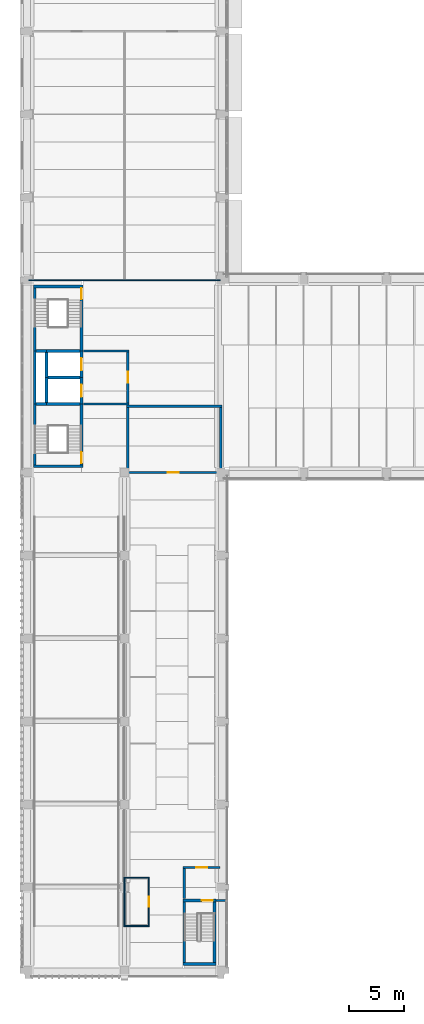
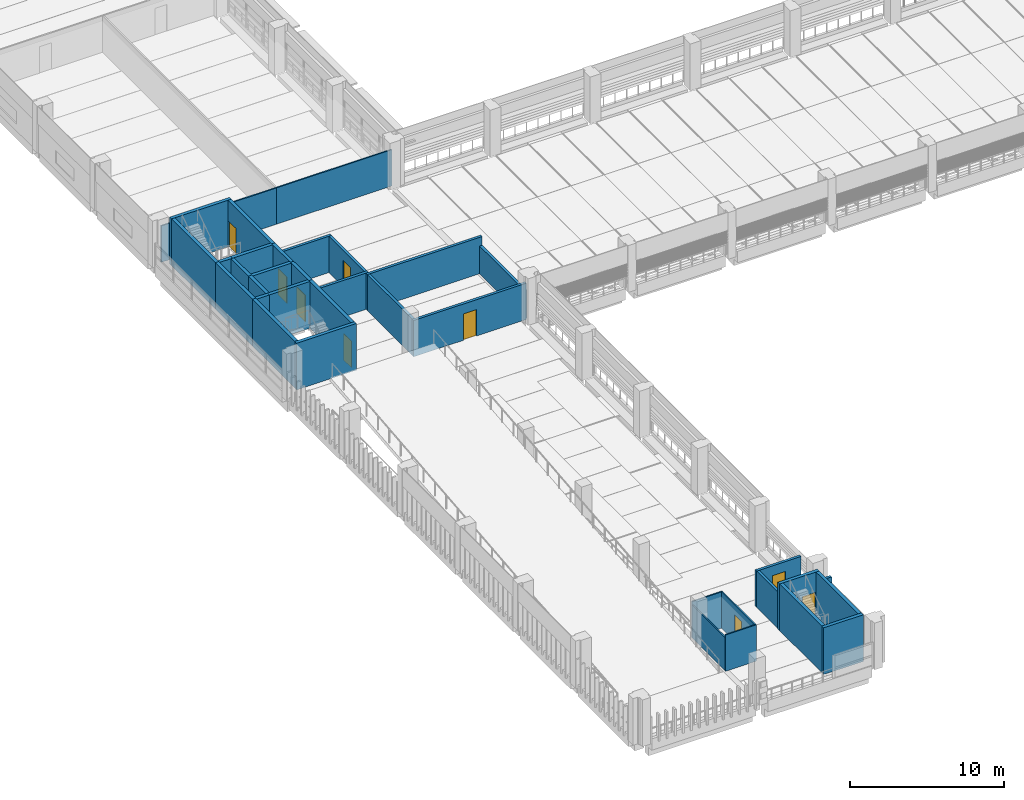
# One storey, part 33 of 61: 36 walls, 9 doors, 9 openings.
"""IFC4 building model written with IfcOpenShell, lengths in metres."""

import ifcopenshell
import ifcopenshell.guid

model = None  # the IFC model being written
_history = None  # IfcOwnerHistory: only IFC2X3 demands one
_inside = {}  # id of a spatial element -> (the spatial element, [elements in it])
_under = {}  # id of a project, library or spatial element -> (it, [spatial elements below it])
_declared = {}  # id of a project -> (the project, [libraries it declares])
_typed = {}  # id of a type object -> (the type object, [elements of that type])
_made_of = {}  # id of a material, layer set ... -> (it, [elements and type objects made of it])


def new_model(schema):
    """Start an empty IFC model of exactly this schema.

    Asked for "IFC4X3", IfcOpenShell would pick the latest addendum, in which some entities
    have other attributes; the version numbers below select the first issue.
    IFC2X3 requires an IfcOwnerHistory on every rooted entity: one is made here for all.
    """
    global model, _history
    if schema == "IFC4X3":
        model = ifcopenshell.file(schema_version=(4, 3, 0, 0))
    else:
        model = ifcopenshell.file(schema=schema)
    _inside.clear()
    _under.clear()
    _declared.clear()
    _typed.clear()
    _made_of.clear()
    _history = None
    if model.schema == "IFC2X3":
        org = make("IfcOrganization", Name="unknown")
        user = make(
            "IfcPersonAndOrganization",
            ThePerson=make("IfcPerson", FamilyName="unknown"),
            TheOrganization=org,
        )
        app = make(
            "IfcApplication",
            ApplicationDeveloper=org,
            Version="unknown",
            ApplicationFullName="unknown",
            ApplicationIdentifier="unknown",
        )
        _history = make(
            "IfcOwnerHistory",
            OwningUser=user,
            OwningApplication=app,
            ChangeAction="ADDED",
            CreationDate=0,
        )
    return model


def make(cls, **values):
    """One entity of the class cls with the attributes given. An attribute that is None is left unset."""
    return model.create_entity(
        cls, **{name: value for name, value in values.items() if value is not None}
    )


def rooted(cls, **values):
    """An entity with a GlobalId (a new one), such as an element, a storey or a relation."""
    return make(cls, GlobalId=ifcopenshell.guid.new(), OwnerHistory=_history, **values)


def si_unit(unit_type, name, prefix=None):
    """IfcSIUnit, for example si_unit("LENGTHUNIT", "METRE", prefix="MILLI")."""
    return make("IfcSIUnit", UnitType=unit_type, Prefix=prefix, Name=name)


def assignment(units):
    """IfcUnitAssignment: the units of a project."""
    return None if units is None else make("IfcUnitAssignment", Units=units)


def point(xyz):
    """IfcCartesianPoint."""
    return None if xyz is None else make("IfcCartesianPoint", Coordinates=xyz)


def direction(xyz):
    """IfcDirection."""
    return None if xyz is None else make("IfcDirection", DirectionRatios=xyz)


def frame(location, z_axis=None, x_axis=None):
    """IfcAxis2Placement3D, a coordinate frame: its origin and axes. An axis left out is left unset."""
    return make(
        "IfcAxis2Placement3D",
        Location=point(location),
        Axis=direction(z_axis),
        RefDirection=direction(x_axis),
    )


def frame_2d(location, x_axis=None):
    """IfcAxis2Placement2D, a coordinate frame in the plane: its origin and x axis."""
    return make(
        "IfcAxis2Placement2D", Location=point(location), RefDirection=direction(x_axis)
    )


def origin():
    """The frame at (0, 0, 0) with its axes left unset."""
    return frame((0.0, 0.0, 0.0))


def place(relative_to, where):
    """IfcLocalPlacement: puts the frame where relative to a parent placement (None: the world)."""
    return make(
        "IfcLocalPlacement", PlacementRelTo=relative_to, RelativePlacement=where
    )


def context(
    kind, dimensions, precision=None, world=None, true_north=None, identifier=None
):
    """IfcGeometricRepresentationContext, for example the 3D "Model" context."""
    return make(
        "IfcGeometricRepresentationContext",
        ContextIdentifier=identifier,
        ContextType=kind,
        CoordinateSpaceDimension=dimensions,
        Precision=precision,
        WorldCoordinateSystem=world,
        TrueNorth=true_north,
    )


def subcontext(parent, identifier, kind, view, scale=None):
    """IfcGeometricRepresentationSubContext, for example "Body" below "Model"."""
    return make(
        "IfcGeometricRepresentationSubContext",
        ContextIdentifier=identifier,
        ContextType=kind,
        ParentContext=parent,
        TargetScale=scale,
        TargetView=view,
    )


def project(units=None, contexts=None):
    """IfcProject with its units and contexts."""
    return rooted(
        "IfcProject",
        Name="project",
        RepresentationContexts=contexts,
        UnitsInContext=assignment(units),
    )


def spatial(cls, under=None, at=None, **own):
    """A site, building, storey or space (cls), placed at a placement, below another one or the project."""
    s = rooted(cls, ObjectPlacement=at, **own)
    if under is not None:
        _under.setdefault(under.id(), (under, []))[1].append(s)
    return s


def profile(cls, at=None, kind="AREA", **sizes):
    """A parametric profile (cls). Its sizes go by their IFC names, for example OverallWidth=200.0."""
    return make(cls, ProfileType=kind, Position=at, **sizes)


def rectangle(**sizes):
    """IfcRectangleProfileDef."""
    return profile("IfcRectangleProfileDef", **sizes)


def extrude(swept, where, along, depth):
    """IfcExtrudedAreaSolid: the profile swept, set in the frame where, extruded along a direction by depth."""
    return make(
        "IfcExtrudedAreaSolid",
        SweptArea=swept,
        Position=where,
        ExtrudedDirection=direction(along),
        Depth=depth,
    )


def shape(context_of_items, identifier, shape_type, items):
    """IfcShapeRepresentation: the items that make up one representation, for example the "Body"."""
    return make(
        "IfcShapeRepresentation",
        ContextOfItems=context_of_items,
        RepresentationIdentifier=identifier,
        RepresentationType=shape_type,
        Items=items,
    )


def material(Name=None, Category=None):
    """IfcMaterial."""
    return make("IfcMaterial", Name=Name, Category=Category)


def layer(
    of_material, thickness, ventilated=None, Name=None, Category=None, Priority=None
):
    """IfcMaterialLayer: one layer of a wall or slab, of a material (None: an air gap)."""
    return make(
        "IfcMaterialLayer",
        Material=of_material,
        LayerThickness=thickness,
        IsVentilated=ventilated,
        Name=Name,
        Category=Category,
        Priority=Priority,
    )


def layer_set(layers, Name=None):
    """IfcMaterialLayerSet."""
    return make("IfcMaterialLayerSet", MaterialLayers=layers, LayerSetName=Name)


def made_of(thing, what):
    """Note that an element or type object is made of a material, layer set ...; save() writes the relation."""
    if what is not None:
        _made_of.setdefault(what.id(), (what, []))[1].append(thing)
    return thing


def type_object(cls, material=None, **own):
    """A type object (cls), such as IfcWallType, which elements share."""
    return made_of(rooted(cls, **own), material)


def element(
    cls,
    number,
    at=None,
    inside=None,
    cuts=None,
    type_object=None,
    material=None,
    context=None,
    identifier="Body",
    shape_type=None,
    held_by="IfcProductDefinitionShape",
    body=None,
    shapes=None,
    **own,
):
    """One element of the class cls, such as IfcWall. Its Tag is "e" and its number.

    at: its placement. inside: the storey or other place that contains it. cuts: it is an
    opening in that element (IfcRelVoidsElement). A single representation is given by context,
    identifier, shape_type and body (its items); several are given by shapes. held_by: the class
    of the entity that holds the representations. save() writes the other relations.
    """
    e = rooted(cls, Tag="e%d" % number, ObjectPlacement=at, **own)
    if body is not None:
        shapes = [shape(context, identifier, shape_type, body)]
    if shapes is not None:
        e.Representation = make(held_by, Representations=shapes)
    if inside is not None:
        _inside.setdefault(inside.id(), (inside, []))[1].append(e)
    if cuts is not None:
        rooted(
            "IfcRelVoidsElement", RelatingBuildingElement=cuts, RelatedOpeningElement=e
        )
    if type_object is not None:
        _typed.setdefault(type_object.id(), (type_object, []))[1].append(e)
    return made_of(e, material)


def fill(opening, filler):
    """IfcRelFillsElement: the door or window that sits in an opening."""
    return rooted(
        "IfcRelFillsElement",
        RelatingOpeningElement=opening,
        RelatedBuildingElement=filler,
    )


def aggregate(whole, parts):
    """IfcRelAggregates: a whole, such as a stair, and the parts it consists of."""
    return rooted("IfcRelAggregates", RelatingObject=whole, RelatedObjects=parts)


def save(model, path):
    """Write the relations noted so far, then the file.

    IfcRelAggregates (storeys below a building ...), IfcRelContainedInSpatialStructure (elements
    in a storey), IfcRelDefinesByType, IfcRelAssociatesMaterial and IfcRelDeclares: one each for
    every whole, place, type object, material and project.
    """
    for whole, parts in _under.values():
        aggregate(whole, parts)
    for where, things in _inside.values():
        rooted(
            "IfcRelContainedInSpatialStructure",
            RelatedElements=things,
            RelatingStructure=where,
        )
    for kind, things in _typed.values():
        rooted("IfcRelDefinesByType", RelatedObjects=things, RelatingType=kind)
    for what, things in _made_of.values():
        rooted("IfcRelAssociatesMaterial", RelatedObjects=things, RelatingMaterial=what)
    for by, libraries in _declared.values():
        rooted("IfcRelDeclares", RelatingContext=by, RelatedDefinitions=libraries)
    model.write(path)


model = new_model("IFC4")

# Units and contexts
model_context = context("Model", 3, precision=1e-05, world=origin(), true_north=direction((0.0, 1.0)))
body_context = subcontext(model_context, "Body", "Model", "MODEL_VIEW")
ifc_project = project(units=[si_unit("LENGTHUNIT", "METRE"), si_unit("AREAUNIT", "SQUARE_METRE"), si_unit("VOLUMEUNIT", "CUBIC_METRE"), si_unit("PLANEANGLEUNIT", "RADIAN"), si_unit("MASSUNIT", "GRAM", prefix="KILO")], contexts=[model_context])

# Site, building, storey
site_placement = place(None, origin())
site = spatial("IfcSite", under=ifc_project, at=site_placement, CompositionType="ELEMENT")
building_placement = place(site_placement, origin())
building = spatial("IfcBuilding", under=site, at=building_placement, Name="Cour d'Honneur Mobility Palace", CompositionType="ELEMENT")
storey_placement = place(building_placement, frame((0.0, 0.0, 11.89990234375)))
storey = spatial("IfcBuildingStorey", under=building, at=storey_placement, Name="L03", CompositionType="ELEMENT", Elevation=11.89990234375)

# Walls
ifc_material_1 = material(Name="Concrete C50", Category="concrete")
ifc_layer_1 = layer(ifc_material_1, 0.25)
ifc_layer_set_1 = layer_set([ifc_layer_1], Name="Concrete C50")
wall_type_1 = type_object("IfcWallType", Name="Lift shaft wall 250", PredefinedType="SHEAR", material=ifc_layer_set_1)
wall_1_placement = place(storey_placement, frame((1.77490234375, 53.60009765625, 0.0), z_axis=(0.0, 0.0, 1.0), x_axis=(1.0, 0.0, 0.0)))
element("IfcWall", 1, at=wall_1_placement, inside=storey, type_object=wall_type_1, Name="Lift shaft wall WL-CW4 L03", PredefinedType="SHEAR", context=body_context, shape_type="SweptSolid", body=[
    extrude(rectangle(XDim=2.900146484375, YDim=0.25, at=frame_2d((1.4501953125, 0.0))), origin(), (0.0, 0.0, 1.0), 3.7001953125),
])
wall_2_placement = place(storey_placement, frame((1.64990234375, 51.324951171875, 0.0), z_axis=(0.0, 0.0, 1.0), x_axis=(0.0, 1.0, 0.0)))
element("IfcWall", 2, at=wall_2_placement, inside=storey, type_object=wall_type_1, Name="Lift shaft wall WL-CW11 L03", PredefinedType="SHEAR", context=body_context, shape_type="SweptSolid", body=[
    extrude(rectangle(XDim=2.275146484375, YDim=0.25, at=frame_2d((1.1376953125, 0.0))), origin(), (0.0, 0.0, 1.0), 3.7001953125),
])
wall_3_placement = place(storey_placement, frame((1.64990234375, 53.60009765625, 0.0), z_axis=(0.0, 0.0, 1.0), x_axis=(0.0, 1.0, 0.0)))
element("IfcWall", 3, at=wall_3_placement, inside=storey, type_object=wall_type_1, Name="Lift shaft wall WL-CW12 L03", PredefinedType="SHEAR", context=body_context, shape_type="SweptSolid", body=[
    extrude(rectangle(XDim=2.27490234375, YDim=0.25, at=frame_2d((1.137451171875, 0.0))), origin(), (0.0, 0.0, 1.0), 3.7001953125),
])

# Wall, opening, door
wall_4_placement = place(storey_placement, frame((4.800048828125, 51.199951171875, 0.0), z_axis=(0.0, 0.0, 1.0), x_axis=(0.0, 1.0, 0.0)))
wall_4 = element("IfcWall", 4, at=wall_4_placement, inside=storey, type_object=wall_type_1, Name="Lift shaft wall WL-CW14 L03", PredefinedType="SHEAR", context=body_context, shape_type="SweptSolid", body=[
    extrude(rectangle(XDim=2.400146484375, YDim=0.25, at=frame_2d((1.2001953125, 0.0))), origin(), (0.0, 0.0, 1.0), 3.7001953125),
])
opening_1_placement = place(wall_4_placement, frame((0.64990234375, 0.0, 0.0)))
opening_1 = element("IfcOpeningElement", 5, at=opening_1_placement, cuts=wall_4, Name="Opening LD4", PredefinedType="OPENING", context=body_context, shape_type="SweptSolid", body=[
    extrude(rectangle(XDim=1.10009765625, YDim=2.10009765625, at=frame_2d((0.550048828125, 1.050048828125))), frame((0.0, 0.135009765625, 0.0), z_axis=(0.0, -1.0, 0.0), x_axis=(1.0, 0.0, 0.0)), (0.0, 0.0, 1.0), 0.27001953125),
])
ifc_material_2 = material(Name="Stainless steel", Category="steel")
door_type_1 = type_object("IfcDoorType", Name="Landing door 1100 x 2100", OperationType="SLIDING_TO_LEFT", PredefinedType="DOOR", material=ifc_material_2)
door_1_placement = place(opening_1_placement, origin())
door_1 = element("IfcDoor", 6, at=door_1_placement, inside=storey, type_object=door_type_1, Name="Landing door LF-CW1 L03", OperationType="SLIDING_TO_LEFT", OverallHeight=2.10009765625, OverallWidth=1.10009765625, PredefinedType="DOOR", context=body_context, shape_type="SweptSolid", body=[
    extrude(rectangle(XDim=1.10009765625, YDim=2.10009765625, at=frame_2d((0.550048828125, 1.050048828125))), frame((0.0, 0.02490234375, 0.0), z_axis=(0.0, -1.0, 0.0), x_axis=(1.0, 0.0, 0.0)), (0.0, 0.0, 1.0), 0.050048828125),
])
fill(opening_1, door_1)

wall_5_placement = place(storey_placement, frame((4.800048828125, 53.60009765625, 0.0), z_axis=(0.0, 0.0, 1.0), x_axis=(0.0, 1.0, 0.0)))
wall_5 = element("IfcWall", 7, at=wall_5_placement, inside=storey, type_object=wall_type_1, Name="Lift shaft wall WL-CW15 L03", PredefinedType="SHEAR", context=body_context, shape_type="SweptSolid", body=[
    extrude(rectangle(XDim=2.39990234375, YDim=0.25, at=frame_2d((1.199951171875, 0.0))), origin(), (0.0, 0.0, 1.0), 3.7001953125),
])
opening_2_placement = place(wall_5_placement, frame((0.64990234375, 0.0, 0.0)))
opening_2 = element("IfcOpeningElement", 8, at=opening_2_placement, cuts=wall_5, Name="Opening LD14", PredefinedType="OPENING", context=body_context, shape_type="SweptSolid", body=[
    extrude(rectangle(XDim=1.10009765625, YDim=2.10009765625, at=frame_2d((0.550048828125, 1.050048828125))), frame((0.0, 0.135009765625, 0.0), z_axis=(0.0, -1.0, 0.0), x_axis=(1.0, 0.0, 0.0)), (0.0, 0.0, 1.0), 0.27001953125),
])
door_2_placement = place(opening_2_placement, origin())
door_2 = element("IfcDoor", 9, at=door_2_placement, inside=storey, type_object=door_type_1, Name="Landing door LF-CW2 L03", OperationType="SLIDING_TO_LEFT", OverallHeight=2.10009765625, OverallWidth=1.10009765625, PredefinedType="DOOR", context=body_context, shape_type="SweptSolid", body=[
    extrude(rectangle(XDim=1.10009765625, YDim=2.10009765625, at=frame_2d((0.550048828125, 1.050048828125))), frame((0.0, 0.02490234375, 0.0), z_axis=(0.0, -1.0, 0.0), x_axis=(1.0, 0.0, 0.0)), (0.0, 0.0, 1.0), 0.050048828125),
])
fill(opening_2, door_2)

# Wall
ifc_material_3 = material(Name="Gypsum plasterboard")
ifc_layer_2 = layer(ifc_material_3, 0.10009765625)
ifc_layer_set_2 = layer_set([ifc_layer_2], Name="Gypsum plasterboard")
wall_type_2 = type_object("IfcWallType", Name="Partition 100", PredefinedType="PARTITIONING", material=ifc_layer_set_2)
wall_6_placement = place(storey_placement, frame((8.64990234375, 4.0, 0.0), z_axis=(0.0, 0.0, 1.0), x_axis=(1.0, 0.0, 0.0)))
element("IfcWall", 10, at=wall_6_placement, inside=storey, type_object=wall_type_2, Name="Partition 001", PredefinedType="PARTITIONING", context=body_context, shape_type="SweptSolid", body=[
    extrude(rectangle(XDim=2.300048828125, YDim=0.10009765625, at=frame_2d((1.14990234375, 0.0))), origin(), (0.0, 0.0, 1.0), 2.880126953125),
])

# Wall, opening, door
wall_7_placement = place(storey_placement, frame((10.89990234375, 4.050048828125, 0.0), z_axis=(0.0, 0.0, 1.0), x_axis=(0.0, 1.0, 0.0)))
wall_7 = element("IfcWall", 11, at=wall_7_placement, inside=storey, type_object=wall_type_2, Name="Partition 002", PredefinedType="PARTITIONING", context=body_context, shape_type="SweptSolid", body=[
    extrude(rectangle(XDim=4.25, YDim=0.10009765625, at=frame_2d((2.125, 0.0))), origin(), (0.0, 0.0, 1.0), 2.880126953125),
])
opening_3_placement = place(wall_7_placement, frame((1.675048828125, 0.0, 0.0)))
opening_3 = element("IfcOpeningElement", 12, at=opening_3_placement, cuts=wall_7, Name="Opening D0309", PredefinedType="OPENING", context=body_context, shape_type="SweptSolid", body=[
    extrude(rectangle(XDim=0.89990234375, YDim=2.10009765625, at=frame_2d((0.449951171875, 1.050048828125))), frame((0.0, 0.06005859375, 0.0), z_axis=(0.0, -1.0, 0.0), x_axis=(1.0, 0.0, 0.0)), (0.0, 0.0, 1.0), 0.1201171875),
])
ifc_material_4 = material(Name="Solid timber", Category="wood")
door_type_2 = type_object("IfcDoorType", Name="Single door 900 x 2100", OperationType="SINGLE_SWING_LEFT", PredefinedType="DOOR", material=ifc_material_4)
door_3_placement = place(opening_3_placement, origin())
door_3 = element("IfcDoor", 13, at=door_3_placement, inside=storey, type_object=door_type_2, Name="Door Attendant Room West", OperationType="SINGLE_SWING_LEFT", OverallHeight=2.10009765625, OverallWidth=0.89990234375, PredefinedType="DOOR", context=body_context, shape_type="SweptSolid", body=[
    extrude(rectangle(XDim=0.89990234375, YDim=2.10009765625, at=frame_2d((0.449951171875, 1.050048828125))), frame((0.0, 0.02490234375, 0.0), z_axis=(0.0, -1.0, 0.0), x_axis=(1.0, 0.0, 0.0)), (0.0, 0.0, 1.0), 0.050048828125),
])
fill(opening_3, door_3)

# Walls
wall_8_placement = place(storey_placement, frame((10.949951171875, 8.35009765625, 0.0), z_axis=(0.0, 0.0, 1.0), x_axis=(-1.0, 0.0, 0.0)))
element("IfcWall", 14, at=wall_8_placement, inside=storey, type_object=wall_type_2, Name="Partition 009", PredefinedType="PARTITIONING", context=body_context, shape_type="SweptSolid", body=[
    extrude(rectangle(XDim=2.300048828125, YDim=0.10009765625, at=frame_2d((1.14990234375, 0.0))), origin(), (0.0, 0.0, 1.0), 2.880126953125),
])
wall_9_placement = place(storey_placement, frame((0.06005859375, 62.39990234375, 0.0), z_axis=(0.0, 0.0, 1.0), x_axis=(1.0, 0.0, 0.0)))
element("IfcWall", 15, at=wall_9_placement, inside=storey, type_object=wall_type_2, Name="Partition 040", PredefinedType="PARTITIONING", context=body_context, shape_type="SweptSolid", body=[
    extrude(rectangle(XDim=8.639892578125, YDim=0.10009765625, at=frame_2d((4.31982421875, 0.0))), origin(), (0.0, 0.0, 1.0), 2.880126953125),
])
wall_10_placement = place(storey_placement, frame((8.699951171875, 62.39990234375, 0.0), z_axis=(0.0, 0.0, 1.0), x_axis=(1.0, 0.0, 0.0)))
element("IfcWall", 16, at=wall_10_placement, inside=storey, type_object=wall_type_2, Name="Partition 041", PredefinedType="PARTITIONING", context=body_context, shape_type="SweptSolid", body=[
    extrude(rectangle(XDim=8.64013671875, YDim=0.10009765625, at=frame_2d((4.320068359375, 0.0))), origin(), (0.0, 0.0, 1.0), 2.880126953125),
])
ifc_material_5 = material(Name="Gypsum plasterboard")
ifc_layer_3 = layer(ifc_material_5, 0.10009765625)
ifc_layer_set_3 = layer_set([ifc_layer_3], Name="Gypsum plasterboard")
wall_type_3 = type_object("IfcWallType", Name="Partition 100 under beam 1100", PredefinedType="PARTITIONING", material=ifc_layer_set_3)
wall_11_placement = place(storey_placement, frame((8.699951171875, 8.300048828125, 0.0), z_axis=(0.0, 0.0, 1.0), x_axis=(0.0, -1.0, 0.0)))
element("IfcWall", 17, at=wall_11_placement, inside=storey, type_object=wall_type_3, Name="Partition 008", PredefinedType="PARTITIONING", context=body_context, shape_type="SweptSolid", body=[
    extrude(rectangle(XDim=4.25, YDim=0.10009765625, at=frame_2d((2.125, 0.0))), origin(), (0.0, 0.0, 1.0), 2.60009765625),
])
ifc_material_6 = material(Name="Gypsum plasterboard")
ifc_layer_4 = layer(ifc_material_6, 0.199951171875)
ifc_layer_set_4 = layer_set([ifc_layer_4], Name="Gypsum plasterboard")
wall_type_4 = type_object("IfcWallType", Name="Partition 200 rated EI 120", PredefinedType="PARTITIONING", material=ifc_layer_set_4)
wall_12_placement = place(storey_placement, frame((16.949951171875, 6.300048828125, 0.0), z_axis=(0.0, 0.0, 1.0), x_axis=(1.0, 0.0, 0.0)))
element("IfcWall", 18, at=wall_12_placement, inside=storey, type_object=wall_type_4, Name="Partition 005", PredefinedType="PARTITIONING", context=body_context, shape_type="SweptSolid", body=[
    extrude(rectangle(XDim=0.949951171875, YDim=0.199951171875, at=frame_2d((0.47509765625, 0.0))), origin(), (0.0, 0.0, 1.0), 2.880126953125),
])
wall_13_placement = place(storey_placement, frame((14.10009765625, 9.199951171875, 0.0), z_axis=(0.0, 0.0, 1.0), x_axis=(0.0, -1.0, 0.0)))
element("IfcWall", 19, at=wall_13_placement, inside=storey, type_object=wall_type_4, Name="Partition 012", PredefinedType="PARTITIONING", context=body_context, shape_type="SweptSolid", body=[
    extrude(rectangle(XDim=2.724853515625, YDim=0.199951171875, at=frame_2d((1.3623046875, 0.0))), origin(), (0.0, 0.0, 1.0), 2.880126953125),
])

# Wall, opening, door
wall_14_placement = place(storey_placement, frame((17.340087890625, 9.300048828125, 0.0), z_axis=(0.0, 0.0, 1.0), x_axis=(-1.0, 0.0, 0.0)))
wall_14 = element("IfcWall", 20, at=wall_14_placement, inside=storey, type_object=wall_type_4, Name="Partition 013", PredefinedType="PARTITIONING", context=body_context, shape_type="SweptSolid", body=[
    extrude(rectangle(XDim=3.340087890625, YDim=0.199951171875, at=frame_2d((1.669921875, 0.0))), origin(), (0.0, 0.0, 1.0), 2.880126953125),
])
opening_4_placement = place(wall_14_placement, frame((1.169921875, 0.0, 0.0)))
opening_4 = element("IfcOpeningElement", 21, at=opening_4_placement, cuts=wall_14, Name="Opening D0307", PredefinedType="OPENING", context=body_context, shape_type="SweptSolid", body=[
    extrude(rectangle(XDim=1.0, YDim=2.10009765625, at=frame_2d((0.5, 1.050048828125))), frame((0.0, 0.10986328125, 0.0), z_axis=(0.0, -1.0, 0.0), x_axis=(1.0, 0.0, 0.0)), (0.0, 0.0, 1.0), 0.219970703125),
])
ifc_material_7 = material(Name="Galvanised steel", Category="steel")
door_type_3 = type_object("IfcDoorType", Name="Fire door FD120 1000 x 2100", OperationType="SINGLE_SWING_LEFT", PredefinedType="DOOR", material=ifc_material_7)
door_4_placement = place(opening_4_placement, origin())
door_4 = element("IfcDoor", 22, at=door_4_placement, inside=storey, type_object=door_type_3, Name="Door Stair Lobby RW", OperationType="SINGLE_SWING_LEFT", OverallHeight=2.10009765625, OverallWidth=1.0, PredefinedType="DOOR", context=body_context, shape_type="SweptSolid", body=[
    extrude(rectangle(XDim=1.0, YDim=2.10009765625, at=frame_2d((0.5, 1.050048828125))), frame((0.0, 0.02490234375, 0.0), z_axis=(0.0, -1.0, 0.0), x_axis=(1.0, 0.0, 0.0)), (0.0, 0.0, 1.0), 0.050048828125),
])
fill(opening_4, door_4)

wall_15_placement = place(storey_placement, frame((8.89990234375, 45.0, 0.0), z_axis=(0.0, 0.0, 1.0), x_axis=(1.0, 0.0, 0.0)))
wall_15 = element("IfcWall", 23, at=wall_15_placement, inside=storey, type_object=wall_type_4, Name="Partition 015", PredefinedType="PARTITIONING", context=body_context, shape_type="SweptSolid", body=[
    extrude(rectangle(XDim=8.440185546875, YDim=0.199951171875, at=frame_2d((4.22021484375, 0.0))), origin(), (0.0, 0.0, 1.0), 2.880126953125),
])
opening_5_placement = place(wall_15_placement, frame((3.719970703125, 0.0, 0.0)))
opening_5 = element("IfcOpeningElement", 24, at=opening_5_placement, cuts=wall_15, Name="Opening D0311", PredefinedType="OPENING", context=body_context, shape_type="SweptSolid", body=[
    extrude(rectangle(XDim=1.0, YDim=2.10009765625, at=frame_2d((0.5, 1.050048828125))), frame((0.0, 0.10986328125, 0.0), z_axis=(0.0, -1.0, 0.0), x_axis=(1.0, 0.0, 0.0)), (0.0, 0.0, 1.0), 0.219970703125),
])
door_5_placement = place(opening_5_placement, origin())
door_5 = element("IfcDoor", 25, at=door_5_placement, inside=storey, type_object=door_type_3, Name="Door EV Switch Room West", OperationType="SINGLE_SWING_RIGHT", OverallHeight=2.10009765625, OverallWidth=1.0, PredefinedType="DOOR", context=body_context, shape_type="SweptSolid", body=[
    extrude(rectangle(XDim=1.0, YDim=2.10009765625, at=frame_2d((0.5, 1.050048828125))), frame((0.0, 0.02490234375, 0.0), z_axis=(0.0, -1.0, 0.0), x_axis=(1.0, 0.0, 0.0)), (0.0, 0.0, 1.0), 0.050048828125),
])
fill(opening_5, door_5)

# Walls
wall_16_placement = place(storey_placement, frame((9.0, 50.89990234375, 0.0), z_axis=(0.0, 0.0, 1.0), x_axis=(0.0, -1.0, 0.0)))
element("IfcWall", 26, at=wall_16_placement, inside=storey, type_object=wall_type_4, Name="Partition 024", PredefinedType="PARTITIONING", context=body_context, shape_type="SweptSolid", body=[
    extrude(rectangle(XDim=5.7998046875, YDim=0.199951171875, at=frame_2d((2.89990234375, 0.0))), origin(), (0.0, 0.0, 1.0), 2.880126953125),
])
wall_17_placement = place(storey_placement, frame((17.5, 51.0, 0.0), z_axis=(0.0, 0.0, 1.0), x_axis=(-1.0, 0.0, 0.0)))
element("IfcWall", 27, at=wall_17_placement, inside=storey, type_object=wall_type_4, Name="Partition 025", PredefinedType="PARTITIONING", context=body_context, shape_type="SweptSolid", body=[
    extrude(rectangle(XDim=8.60009765625, YDim=0.199951171875, at=frame_2d((4.300048828125, 0.0))), origin(), (0.0, 0.0, 1.0), 2.880126953125),
])
wall_18_placement = place(storey_placement, frame((4.97509765625, 51.199951171875, 0.0), z_axis=(0.0, 0.0, 1.0), x_axis=(1.0, 0.0, 0.0)))
element("IfcWall", 28, at=wall_18_placement, inside=storey, type_object=wall_type_4, Name="Partition 028", PredefinedType="PARTITIONING", context=body_context, shape_type="SweptSolid", body=[
    extrude(rectangle(XDim=4.125, YDim=0.199951171875, at=frame_2d((2.0625, 0.0))), origin(), (0.0, 0.0, 1.0), 2.880126953125),
])

# Wall, opening, door
wall_19_placement = place(storey_placement, frame((9.0, 51.300048828125, 0.0), z_axis=(0.0, 0.0, 1.0), x_axis=(0.0, 1.0, 0.0)))
wall_19 = element("IfcWall", 29, at=wall_19_placement, inside=storey, type_object=wall_type_4, Name="Partition 029", PredefinedType="PARTITIONING", context=body_context, shape_type="SweptSolid", body=[
    extrude(rectangle(XDim=4.599853515625, YDim=0.199951171875, at=frame_2d((2.2998046875, 0.0))), origin(), (0.0, 0.0, 1.0), 2.880126953125),
])
opening_6_placement = place(wall_19_placement, frame((1.800048828125, 0.0, 0.0)))
opening_6 = element("IfcOpeningElement", 30, at=opening_6_placement, cuts=wall_19, Name="Opening D0301", PredefinedType="OPENING", context=body_context, shape_type="SweptSolid", body=[
    extrude(rectangle(XDim=1.0, YDim=2.10009765625, at=frame_2d((0.5, 1.050048828125))), frame((0.0, 0.10986328125, 0.0), z_axis=(0.0, -1.0, 0.0), x_axis=(1.0, 0.0, 0.0)), (0.0, 0.0, 1.0), 0.219970703125),
])
door_6_placement = place(opening_6_placement, origin())
door_6 = element("IfcDoor", 31, at=door_6_placement, inside=storey, type_object=door_type_3, Name="Door Firefighting Lobby CW", OperationType="SINGLE_SWING_RIGHT", OverallHeight=2.10009765625, OverallWidth=1.0, PredefinedType="DOOR", context=body_context, shape_type="SweptSolid", body=[
    extrude(rectangle(XDim=1.0, YDim=2.10009765625, at=frame_2d((0.5, 1.050048828125))), frame((0.0, 0.02490234375, 0.0), z_axis=(0.0, -1.0, 0.0), x_axis=(1.0, 0.0, 0.0)), (0.0, 0.0, 1.0), 0.050048828125),
])
fill(opening_6, door_6)

# Walls
wall_20_placement = place(storey_placement, frame((9.10009765625, 56.0, 0.0), z_axis=(0.0, 0.0, 1.0), x_axis=(-1.0, 0.0, 0.0)))
element("IfcWall", 32, at=wall_20_placement, inside=storey, type_object=wall_type_4, Name="Partition 037", PredefinedType="PARTITIONING", context=body_context, shape_type="SweptSolid", body=[
    extrude(rectangle(XDim=4.125, YDim=0.199951171875, at=frame_2d((2.0625, 0.0))), origin(), (0.0, 0.0, 1.0), 2.880126953125),
])
ifc_material_8 = material(Name="Gypsum plasterboard")
ifc_layer_5 = layer(ifc_material_8, 0.199951171875)
ifc_layer_set_5 = layer_set([ifc_layer_5], Name="Gypsum plasterboard")
wall_type_5 = type_object("IfcWallType", Name="Partition 200 rated EI 120 under beam 1500", PredefinedType="PARTITIONING", material=ifc_layer_set_5)
wall_21_placement = place(storey_placement, frame((17.39990234375, 45.06005859375, 0.0), z_axis=(0.0, 0.0, 1.0), x_axis=(0.0, 1.0, 0.0)))
element("IfcWall", 33, at=wall_21_placement, inside=storey, type_object=wall_type_5, Name="Partition 018", PredefinedType="PARTITIONING", context=body_context, shape_type="SweptSolid", body=[
    extrude(rectangle(XDim=5.83984375, YDim=0.199951171875, at=frame_2d((2.919921875, 0.0))), origin(), (0.0, 0.0, 1.0), 2.2001953125),
])
ifc_material_9 = material(Name="Concrete C50", Category="concrete")
ifc_layer_6 = layer(ifc_material_9, 0.25)
ifc_layer_set_6 = layer_set([ifc_layer_6], Name="Concrete C50")
wall_type_6 = type_object("IfcWallType", Name="Shaft wall 250", PredefinedType="SHEAR", material=ifc_layer_set_6)
wall_22_placement = place(storey_placement, frame((0.574951171875, 51.199951171875, 0.0), z_axis=(0.0, 0.0, 1.0), x_axis=(0.0, 1.0, 0.0)))
element("IfcWall", 34, at=wall_22_placement, inside=storey, type_object=wall_type_6, Name="Shaft wall WR-CW9 L03", PredefinedType="SHEAR", context=body_context, shape_type="SweptSolid", body=[
    extrude(rectangle(XDim=4.800048828125, YDim=0.25, at=frame_2d((2.39990234375, 0.0))), origin(), (0.0, 0.0, 1.0), 3.7001953125),
])
ifc_material_10 = material(Name="Concrete C50", Category="concrete")
ifc_layer_7 = layer(ifc_material_10, 0.25)
ifc_layer_set_7 = layer_set([ifc_layer_7], Name="Concrete C50")
wall_type_7 = type_object("IfcWallType", Name="Stair wall 250", PredefinedType="SHEAR", material=ifc_layer_set_7)
wall_23_placement = place(storey_placement, frame((0.449951171875, 45.574951171875, 0.0), z_axis=(0.0, 0.0, 1.0), x_axis=(1.0, 0.0, 0.0)))
element("IfcWall", 35, at=wall_23_placement, inside=storey, type_object=wall_type_7, Name="Stair wall WS-CW1 L03", PredefinedType="SHEAR", context=body_context, shape_type="SweptSolid", body=[
    extrude(rectangle(XDim=4.47509765625, YDim=0.25, at=frame_2d((2.237548828125, 0.0))), origin(), (0.0, 0.0, 1.0), 3.7001953125),
])
wall_24_placement = place(storey_placement, frame((0.699951171875, 51.199951171875, 0.0), z_axis=(0.0, 0.0, 1.0), x_axis=(1.0, 0.0, 0.0)))
element("IfcWall", 36, at=wall_24_placement, inside=storey, type_object=wall_type_7, Name="Stair wall WS-CW2 L03", PredefinedType="SHEAR", context=body_context, shape_type="SweptSolid", body=[
    extrude(rectangle(XDim=0.949951171875, YDim=0.25, at=frame_2d((0.47509765625, 0.0))), origin(), (0.0, 0.0, 1.0), 3.7001953125),
])
wall_25_placement = place(storey_placement, frame((1.64990234375, 51.199951171875, 0.0), z_axis=(0.0, 0.0, 1.0), x_axis=(1.0, 0.0, 0.0)))
element("IfcWall", 37, at=wall_25_placement, inside=storey, type_object=wall_type_7, Name="Stair wall WS-CW3 L03", PredefinedType="SHEAR", context=body_context, shape_type="SweptSolid", body=[
    extrude(rectangle(XDim=3.025146484375, YDim=0.25, at=frame_2d((1.5126953125, 0.0))), origin(), (0.0, 0.0, 1.0), 3.7001953125),
])
wall_26_placement = place(storey_placement, frame((0.699951171875, 56.0, 0.0), z_axis=(0.0, 0.0, 1.0), x_axis=(1.0, 0.0, 0.0)))
element("IfcWall", 38, at=wall_26_placement, inside=storey, type_object=wall_type_7, Name="Stair wall WS-CW5 L03", PredefinedType="SHEAR", context=body_context, shape_type="SweptSolid", body=[
    extrude(rectangle(XDim=0.949951171875, YDim=0.25, at=frame_2d((0.47509765625, 0.0))), origin(), (0.0, 0.0, 1.0), 3.7001953125),
])
wall_27_placement = place(storey_placement, frame((1.64990234375, 56.0, 0.0), z_axis=(0.0, 0.0, 1.0), x_axis=(1.0, 0.0, 0.0)))
element("IfcWall", 39, at=wall_27_placement, inside=storey, type_object=wall_type_7, Name="Stair wall WS-CW6 L03", PredefinedType="SHEAR", context=body_context, shape_type="SweptSolid", body=[
    extrude(rectangle(XDim=3.025146484375, YDim=0.25, at=frame_2d((1.5126953125, 0.0))), origin(), (0.0, 0.0, 1.0), 3.7001953125),
])
wall_28_placement = place(storey_placement, frame((0.449951171875, 61.824951171875, 0.0), z_axis=(0.0, 0.0, 1.0), x_axis=(1.0, 0.0, 0.0)))
element("IfcWall", 40, at=wall_28_placement, inside=storey, type_object=wall_type_7, Name="Stair wall WS-CW7 L03", PredefinedType="SHEAR", context=body_context, shape_type="SweptSolid", body=[
    extrude(rectangle(XDim=4.47509765625, YDim=0.25, at=frame_2d((2.237548828125, 0.0))), origin(), (0.0, 0.0, 1.0), 3.7001953125),
])
wall_29_placement = place(storey_placement, frame((0.574951171875, 45.699951171875, 0.0), z_axis=(0.0, 0.0, 1.0), x_axis=(0.0, 1.0, 0.0)))
element("IfcWall", 41, at=wall_29_placement, inside=storey, type_object=wall_type_7, Name="Stair wall WS-CW8 L03", PredefinedType="SHEAR", context=body_context, shape_type="SweptSolid", body=[
    extrude(rectangle(XDim=5.5, YDim=0.25, at=frame_2d((2.75, 0.0))), origin(), (0.0, 0.0, 1.0), 3.7001953125),
])
wall_30_placement = place(storey_placement, frame((0.574951171875, 56.0, 0.0), z_axis=(0.0, 0.0, 1.0), x_axis=(0.0, 1.0, 0.0)))
element("IfcWall", 42, at=wall_30_placement, inside=storey, type_object=wall_type_7, Name="Stair wall WS-CW10 L03", PredefinedType="SHEAR", context=body_context, shape_type="SweptSolid", body=[
    extrude(rectangle(XDim=5.699951171875, YDim=0.25, at=frame_2d((2.85009765625, 0.0))), origin(), (0.0, 0.0, 1.0), 3.7001953125),
])

# Wall, opening, door
wall_31_placement = place(storey_placement, frame((4.800048828125, 45.699951171875, 0.0), z_axis=(0.0, 0.0, 1.0), x_axis=(0.0, 1.0, 0.0)))
wall_31 = element("IfcWall", 43, at=wall_31_placement, inside=storey, type_object=wall_type_7, Name="Stair wall WS-CW13 L03", PredefinedType="SHEAR", context=body_context, shape_type="SweptSolid", body=[
    extrude(rectangle(XDim=5.5, YDim=0.25, at=frame_2d((2.75, 0.0))), origin(), (0.0, 0.0, 1.0), 3.7001953125),
])
opening_7_placement = place(wall_31_placement, frame((0.14990234375, 0.0, 0.0)))
opening_7 = element("IfcOpeningElement", 44, at=opening_7_placement, cuts=wall_31, Name="Opening S132", PredefinedType="OPENING", context=body_context, shape_type="SweptSolid", body=[
    extrude(rectangle(XDim=1.0, YDim=2.10009765625, at=frame_2d((0.5, 1.050048828125))), frame((0.0, 0.135009765625, 0.0), z_axis=(0.0, -1.0, 0.0), x_axis=(1.0, 0.0, 0.0)), (0.0, 0.0, 1.0), 0.27001953125),
])
ifc_material_11 = material(Name="Galvanised steel", Category="steel")
door_type_4 = type_object("IfcDoorType", Name="Fire door FD120 stair 1000 x 2100", OperationType="SINGLE_SWING_LEFT", PredefinedType="DOOR", material=ifc_material_11)
door_7_placement = place(opening_7_placement, origin())
door_7 = element("IfcDoor", 45, at=door_7_placement, inside=storey, type_object=door_type_4, Name="Stair door ST-CW1 L03", OperationType="SINGLE_SWING_RIGHT", OverallHeight=2.10009765625, OverallWidth=1.0, PredefinedType="DOOR", context=body_context, shape_type="SweptSolid", body=[
    extrude(rectangle(XDim=1.0, YDim=2.10009765625, at=frame_2d((0.5, 1.050048828125))), frame((0.0, 0.02490234375, 0.0), z_axis=(0.0, -1.0, 0.0), x_axis=(1.0, 0.0, 0.0)), (0.0, 0.0, 1.0), 0.050048828125),
])
fill(opening_7, door_7)

wall_32_placement = place(storey_placement, frame((4.800048828125, 56.0, 0.0), z_axis=(0.0, 0.0, 1.0), x_axis=(0.0, 1.0, 0.0)))
wall_32 = element("IfcWall", 46, at=wall_32_placement, inside=storey, type_object=wall_type_7, Name="Stair wall WS-CW16 L03", PredefinedType="SHEAR", context=body_context, shape_type="SweptSolid", body=[
    extrude(rectangle(XDim=5.699951171875, YDim=0.25, at=frame_2d((2.85009765625, 0.0))), origin(), (0.0, 0.0, 1.0), 3.7001953125),
])
opening_8_placement = place(wall_32_placement, frame((4.675048828125, 0.0, 0.0)))
opening_8 = element("IfcOpeningElement", 47, at=opening_8_placement, cuts=wall_32, Name="Opening S68", PredefinedType="OPENING", context=body_context, shape_type="SweptSolid", body=[
    extrude(rectangle(XDim=1.0, YDim=2.10009765625, at=frame_2d((0.5, 1.050048828125))), frame((0.0, 0.135009765625, 0.0), z_axis=(0.0, -1.0, 0.0), x_axis=(1.0, 0.0, 0.0)), (0.0, 0.0, 1.0), 0.27001953125),
])
door_8_placement = place(opening_8_placement, origin())
door_8 = element("IfcDoor", 48, at=door_8_placement, inside=storey, type_object=door_type_4, Name="Stair door ST-CW2 L03", OperationType="SINGLE_SWING_LEFT", OverallHeight=2.10009765625, OverallWidth=1.0, PredefinedType="DOOR", context=body_context, shape_type="SweptSolid", body=[
    extrude(rectangle(XDim=1.0, YDim=2.10009765625, at=frame_2d((0.5, 1.050048828125))), frame((0.0, 0.02490234375, 0.0), z_axis=(0.0, -1.0, 0.0), x_axis=(1.0, 0.0, 0.0)), (0.0, 0.0, 1.0), 0.050048828125),
])
fill(opening_8, door_8)

# Wall
wall_33_placement = place(storey_placement, frame((13.97509765625, 0.574951171875, 0.0), z_axis=(0.0, 0.0, 1.0), x_axis=(1.0, 0.0, 0.0)))
element("IfcWall", 49, at=wall_33_placement, inside=storey, type_object=wall_type_7, Name="Stair wall WS-RW1 L03", PredefinedType="SHEAR", context=body_context, shape_type="SweptSolid", body=[
    extrude(rectangle(XDim=2.974853515625, YDim=0.25, at=frame_2d((1.4873046875, 0.0))), origin(), (0.0, 0.0, 1.0), 3.7001953125),
])

# Wall, opening, door
wall_34_placement = place(storey_placement, frame((13.97509765625, 6.300048828125, 0.0), z_axis=(0.0, 0.0, 1.0), x_axis=(1.0, 0.0, 0.0)))
wall_34 = element("IfcWall", 50, at=wall_34_placement, inside=storey, type_object=wall_type_7, Name="Stair wall WS-RW2 L03", PredefinedType="SHEAR", context=body_context, shape_type="SweptSolid", body=[
    extrude(rectangle(XDim=2.974853515625, YDim=0.25, at=frame_2d((1.4873046875, 0.0))), origin(), (0.0, 0.0, 1.0), 3.7001953125),
])
opening_9_placement = place(wall_34_placement, frame((1.72509765625, 0.0, 0.0)))
opening_9 = element("IfcOpeningElement", 51, at=opening_9_placement, cuts=wall_34, Name="Opening S112", PredefinedType="OPENING", context=body_context, shape_type="SweptSolid", body=[
    extrude(rectangle(XDim=1.0, YDim=2.10009765625, at=frame_2d((0.5, 1.050048828125))), frame((0.0, 0.135009765625, 0.0), z_axis=(0.0, -1.0, 0.0), x_axis=(1.0, 0.0, 0.0)), (0.0, 0.0, 1.0), 0.27001953125),
])
door_9_placement = place(opening_9_placement, origin())
door_9 = element("IfcDoor", 52, at=door_9_placement, inside=storey, type_object=door_type_4, Name="Stair door ST-RW1 L03", OperationType="SINGLE_SWING_RIGHT", OverallHeight=2.10009765625, OverallWidth=1.0, PredefinedType="DOOR", context=body_context, shape_type="SweptSolid", body=[
    extrude(rectangle(XDim=1.0, YDim=2.10009765625, at=frame_2d((0.5, 1.050048828125))), frame((0.0, 0.02490234375, 0.0), z_axis=(0.0, -1.0, 0.0), x_axis=(1.0, 0.0, 0.0)), (0.0, 0.0, 1.0), 0.050048828125),
])
fill(opening_9, door_9)

# Walls
for number, where, z_axis, x_axis, name in (
    (53, (14.10009765625, 0.699951171875, 0.0), (0.0, 0.0, 1.0), (0.0, 1.0, 0.0), "Stair wall WS-RW3 L03"),
    (54, (16.824951171875, 0.699951171875, 0.0), (0.0, 0.0, 1.0), (0.0, 1.0, 0.0), "Stair wall WS-RW4 L03"),
):
    element("IfcWall", number, at=place(storey_placement, frame(where, z_axis=z_axis, x_axis=x_axis)), inside=storey, type_object=wall_type_7, Name=name, PredefinedType="SHEAR", context=body_context, shape_type="SweptSolid", body=[
        extrude(rectangle(XDim=5.47509765625, YDim=0.25, at=frame_2d((2.737548828125, 0.0))), origin(), (0.0, 0.0, 1.0), 3.7001953125),
    ])

save(model, "model.ifc")
